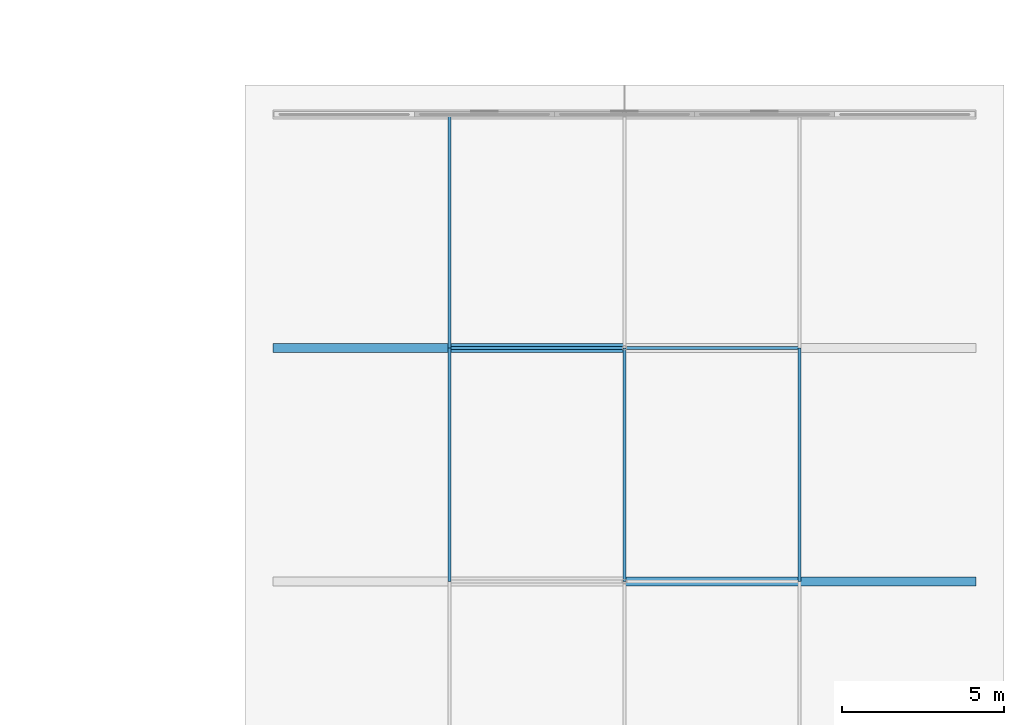
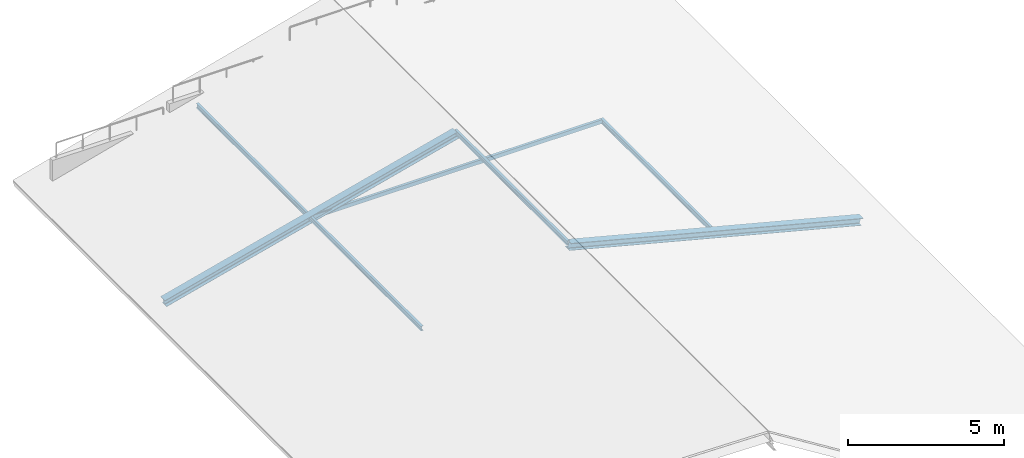
# One storey, part 14 of 40: 7 members.
"""IFC4 building model written with IfcOpenShell, lengths in metres."""

from ifc_helpers import new_model, si_unit, direction, frame, origin, origin_2d, place, context, subcontext, project, spatial, hollow_rectangle, i_section, extrude, material, material_profile, profile_set, type_object, element, save


model = new_model("IFC4")

# Units and contexts
model_context = context("Model", 3, precision=1e-05, world=origin(), true_north=direction((0.0, 1.0)))
body_context = subcontext(model_context, "Body", "Model", "MODEL_VIEW")
ifc_project = project(units=[si_unit("LENGTHUNIT", "METRE"), si_unit("AREAUNIT", "SQUARE_METRE"), si_unit("VOLUMEUNIT", "CUBIC_METRE"), si_unit("PLANEANGLEUNIT", "RADIAN"), si_unit("MASSUNIT", "GRAM", prefix="KILO"), si_unit("THERMODYNAMICTEMPERATUREUNIT", "KELVIN"), si_unit("POWERUNIT", "WATT")], contexts=[model_context])

# Site, building, storey
site_placement = place(None, origin())
site = spatial("IfcSite", under=ifc_project, at=site_placement, CompositionType="ELEMENT")
building_placement = place(site_placement, origin())
building = spatial("IfcBuilding", under=site, at=building_placement, Name="Tavuni Mirador Residences", CompositionType="ELEMENT")
storey_placement = place(building_placement, frame((0.0, 0.0, 36.0)))
storey = spatial("IfcBuildingStorey", under=building, at=storey_placement, Name="L11", CompositionType="ELEMENT", Elevation=36.0)

# Members
ifc_material = material(Name="Structural steel S355", Category="steel")
ifc_material_profile_1 = material_profile(ifc_material, hollow_rectangle(XDim=0.10009765625, YDim=0.14990234375, WallThickness=0.008056640625, at=origin_2d()), Name="RHS 150x100x8.0", Category="steel")
ifc_profile_set_1 = profile_set([ifc_material_profile_1], Name="Structural steel S355")
member_type_1 = type_object("IfcMemberType", Name="MT-BR-RHS150", PredefinedType="BRACE", material=ifc_profile_set_1)
member_placement = place(storey_placement, frame((102.60009765625, 115.199951171875, 1.050048828125), z_axis=(1.0, 0.0, 0.0), x_axis=(0.0, 1.0, 0.0)))
element("IfcMember", 1, at=member_placement, inside=storey, type_object=member_type_1, Name="RTIE-BLK-D-04", PredefinedType="BRACE", context=body_context, shape_type="SweptSolid", body=[
    extrude(hollow_rectangle(XDim=0.10009765625, YDim=0.14990234375, WallThickness=0.008056640625, at=origin_2d()), origin(), (0.0, 0.0, 1.0), 10.7998046875),
])
ifc_material_profile_2 = material_profile(ifc_material, i_section(OverallWidth=0.280029296875, OverallDepth=0.27001953125, WebThickness=0.008056640625, FlangeThickness=0.012939453125, FilletRadius=0.02392578125, at=origin_2d()), Name="HEA 280", Category="steel")
ifc_profile_set_2 = profile_set([ifc_material_profile_2], Name="Structural steel S355")
member_type_2 = type_object("IfcMemberType", Name="MT-CH-HEA280", PredefinedType="CHORD", material=ifc_profile_set_2)
for number, where, z_axis, x_axis, name in (
    (2, (108.0, 108.0, 2.449951171875), (0.967996110632, 0.0, -0.250965196393), (0.0, 1.0, 0.0), "RAF-BLK-D-03-E"),
    (3, (97.199951171875, 115.199951171875, -0.35009765625), (0.967996110632, 0.0, 0.250965196393), (0.0, 1.0, 0.0), "RAF-BLK-D-04-W"),
):
    element("IfcMember", number, at=place(storey_placement, frame(where, z_axis=z_axis, x_axis=x_axis)), inside=storey, type_object=member_type_2, Name=name, PredefinedType="CHORD", context=body_context, shape_type="SweptSolid", body=[
        extrude(i_section(OverallWidth=0.280029296875, OverallDepth=0.27001953125, WebThickness=0.008056640625, FlangeThickness=0.012939453125, FilletRadius=0.02392578125, at=origin_2d()), origin(), (0.0, 0.0, 1.0), 11.1572265625),
    ])
ifc_material_profile_3 = material_profile(ifc_material, i_section(OverallWidth=0.091064453125, OverallDepth=0.179931640625, WebThickness=0.00537109375, FlangeThickness=0.008056640625, FilletRadius=0.009033203125, at=origin_2d()), Name="IPE 180", Category="steel")
ifc_profile_set_3 = profile_set([ifc_material_profile_3], Name="Structural steel S355")
member_type_3 = type_object("IfcMemberType", Name="MT-PR-IPE180", PredefinedType="PURLIN", material=ifc_profile_set_3)
for number, where, z_axis, x_axis, name in (
    (4, (102.60009765625, 108.0, 1.074951171875), (0.0, 1.0, 0.0), (-1.0, 0.0, 0.0), "RPUR-BLK-D-25-03"),
    (5, (102.60009765625, 115.199951171875, 1.074951171875), (0.0, 1.0, 0.0), (-1.0, 0.0, 0.0), "RPUR-BLK-D-25-04"),
    (6, (108.0, 108.0, 2.52490234375), (0.0, 1.0, 0.0), (-1.0, 0.0, 0.0), "RPUR-BLK-D-50-03"),
    (7, (113.39990234375, 108.0, 1.074951171875), (0.0, 1.0, 0.0), (-1.0, 0.0, 0.0), "RPUR-BLK-D-75-03"),
):
    element("IfcMember", number, at=place(storey_placement, frame(where, z_axis=z_axis, x_axis=x_axis)), inside=storey, type_object=member_type_3, Name=name, PredefinedType="PURLIN", context=body_context, shape_type="SweptSolid", body=[
        extrude(i_section(OverallWidth=0.091064453125, OverallDepth=0.179931640625, WebThickness=0.00537109375, FlangeThickness=0.008056640625, FilletRadius=0.009033203125, at=origin_2d()), origin(), (0.0, 0.0, 1.0), 7.199951171875),
    ])

save(model, "model.ifc")
